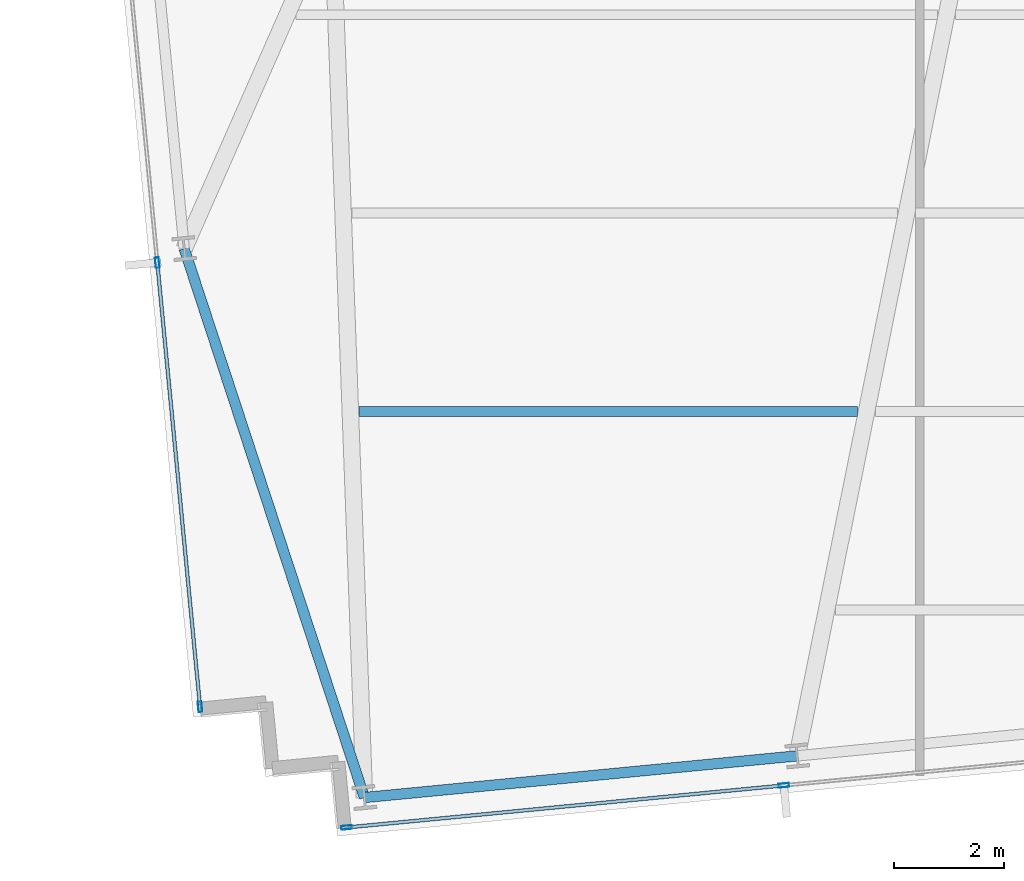
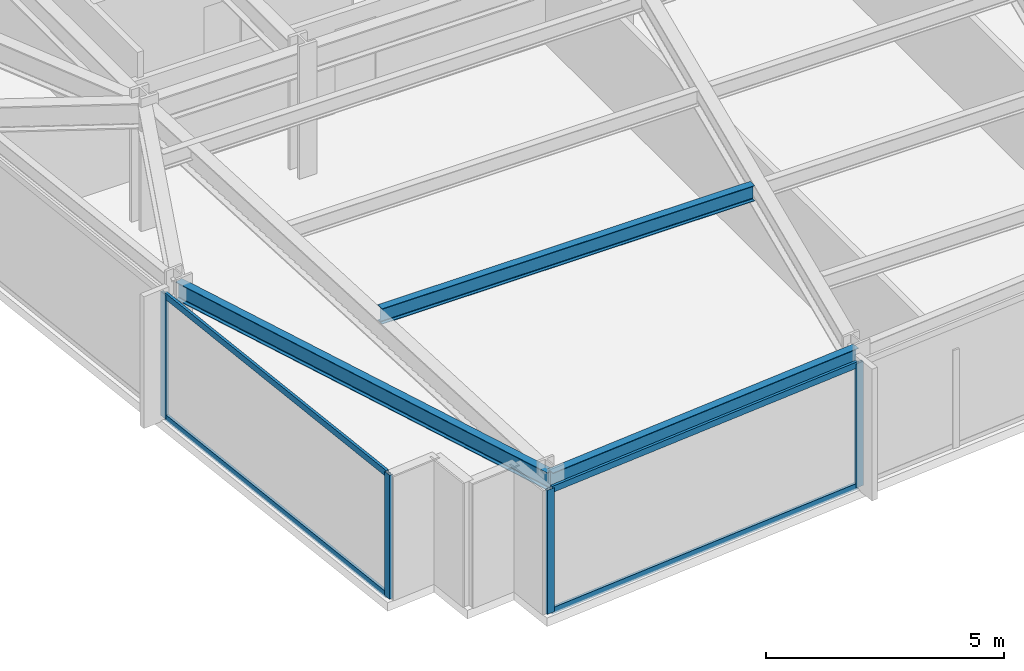
# One storey, part 2 of 33: 8 members, 3 beams, 2 elements without a shape of their own.
"""IFC4 building model written with IfcOpenShell, lengths in metres."""

from ifc_helpers import new_model, si_unit, direction, frame, origin, origin_2d, place, context, subcontext, project, spatial, hollow_rectangle, i_section, extrude, material, material_profile, profile_set, type_object, element, aggregate, save


model = new_model("IFC4")

# Units and contexts
model_context = context("Model", 3, precision=1e-05, world=origin(), true_north=direction((0.0, 1.0)))
body_context = subcontext(model_context, "Body", "Model", "MODEL_VIEW")
ifc_project = project(units=[si_unit("LENGTHUNIT", "METRE"), si_unit("AREAUNIT", "SQUARE_METRE"), si_unit("VOLUMEUNIT", "CUBIC_METRE"), si_unit("PLANEANGLEUNIT", "RADIAN"), si_unit("MASSUNIT", "GRAM", prefix="KILO")], contexts=[model_context])

# Site, building, storey
site_placement = place(None, origin())
site = spatial("IfcSite", under=ifc_project, at=site_placement, CompositionType="ELEMENT")
building_placement = place(site_placement, origin())
building = spatial("IfcBuilding", under=site, at=building_placement, Name="Yelkora Congress Tower", CompositionType="ELEMENT")
storey_placement = place(building_placement, frame((0.0, 0.0, 110.10009765625)))
storey = spatial("IfcBuildingStorey", under=building, at=storey_placement, Name="L29", CompositionType="ELEMENT", Elevation=110.10009765625)

# Beams
ifc_material_1 = material(Name="Steel S355J2", Category="steel")
ifc_material_profile_1 = material_profile(ifc_material_1, i_section(OverallWidth=0.179931640625, OverallDepth=0.39990234375, WebThickness=0.008544921875, FlangeThickness=0.013427734375, FilletRadius=0.02099609375, at=origin_2d()), Name="IPE 400")
ifc_profile_set_1 = profile_set([ifc_material_profile_1], Name="Steel S355J2")
beam_type_1 = type_object("IfcBeamType", Name="BM-JOIST-IPE400", PredefinedType="JOIST", material=ifc_profile_set_1)
beam_1_placement = place(storey_placement, frame((19.6904296875, 16.144287109375, 2.97998046875), z_axis=(1.0, 0.0, 0.0), x_axis=(0.0, 1.0, 0.0)))
element("IfcBeam", 1, at=beam_1_placement, inside=storey, type_object=beam_type_1, Name="L29 Composite Floor Joist 4", PredefinedType="JOIST", context=body_context, shape_type="SweptSolid", body=[
    extrude(i_section(OverallWidth=0.179931640625, OverallDepth=0.39990234375, WebThickness=0.008544921875, FlangeThickness=0.013427734375, FilletRadius=0.02099609375, at=origin_2d()), origin(), (0.0, 0.0, 1.0), 9.0439453125),
])
ifc_material_profile_2 = material_profile(ifc_material_1, i_section(OverallWidth=0.18994140625, OverallDepth=0.449951171875, WebThickness=0.009521484375, FlangeThickness=0.0146484375, FilletRadius=0.02099609375, at=origin_2d()), Name="IPE 450")
ifc_profile_set_2 = profile_set([ifc_material_profile_2], Name="Steel S355J2")
beam_type_2 = type_object("IfcBeamType", Name="BM-SPAN-IPE450", PredefinedType="SPANDREL", material=ifc_profile_set_2)
beam_2_placement = place(storey_placement, frame((16.5166015625, 19.101806640625, 2.954833984375), z_axis=(0.311940628701, -0.95010159676, 0.0), x_axis=(0.95010159676, 0.311940628701, 0.0)))
element("IfcBeam", 2, at=beam_2_placement, inside=storey, type_object=beam_type_2, Name="L29 Perimeter Beam 2", PredefinedType="SPANDREL", context=body_context, shape_type="SweptSolid", body=[
    extrude(i_section(OverallWidth=0.18994140625, OverallDepth=0.449951171875, WebThickness=0.009521484375, FlangeThickness=0.0146484375, FilletRadius=0.02099609375, at=origin_2d()), origin(), (0.0, 0.0, 1.0), 10.48046875),
])
beam_3_placement = place(storey_placement, frame((19.785888671875, 9.144287109375, 2.954833984375), z_axis=(0.995395860104, 0.095849265454, 0.0), x_axis=(-0.095849265454, 0.995395860104, 0.0)))
element("IfcBeam", 3, at=beam_3_placement, inside=storey, type_object=beam_type_2, Name="L29 Perimeter Beam 3", PredefinedType="SPANDREL", context=body_context, shape_type="SweptSolid", body=[
    extrude(i_section(OverallWidth=0.18994140625, OverallDepth=0.449951171875, WebThickness=0.009521484375, FlangeThickness=0.0146484375, FilletRadius=0.02099609375, at=origin_2d()), origin(), (0.0, 0.0, 1.0), 7.885986328125),
])

# Curtain wall, members
ifc_material_2 = material(Name="Anodised aluminium and insulated glass", Category="aluminium")
curtain_wall_type = type_object("IfcCurtainWallType", Name="CW-SYS-B2", PredefinedType="NOTDEFINED", material=ifc_material_2)
curtain_wall_1_placement = place(storey_placement, origin())
curtain_wall_1 = element("IfcCurtainWall", 4, at=curtain_wall_1_placement, inside=storey, type_object=curtain_wall_type, Name="L29 Unitised Curtain Wall 5", PredefinedType="NOTDEFINED")
ifc_material_3 = material(Name="Anodised aluminium 6063-T6", Category="aluminium")
ifc_material_profile_3 = material_profile(ifc_material_3, hollow_rectangle(XDim=0.070068359375, YDim=0.18994140625, WallThickness=0.00390625, at=origin_2d()), Name="ALU 70x190x4")
ifc_profile_set_3 = profile_set([ifc_material_profile_3], Name="Anodised aluminium 6063-T6")
member_type_1 = type_object("IfcMemberType", Name="MEM-ML-B2", PredefinedType="MULLION", material=ifc_profile_set_3)
member_1_placement = place(storey_placement, frame((16.804443359375, 10.791259765625, 0.0), z_axis=(0.0, 0.0, 1.0), x_axis=(-0.995396507508, -0.095842541913, 0.0)))
member_1 = element("IfcMember", 5, at=member_1_placement, type_object=member_type_1, Name="CW-B2 mullion 1", PredefinedType="MULLION", context=body_context, shape_type="SweptSolid", body=[
    extrude(hollow_rectangle(XDim=0.070068359375, YDim=0.18994140625, WallThickness=0.00390625, at=origin_2d()), origin(), (0.0, 0.0, 1.0), 3.179931640625),
])
member_2_placement = place(storey_placement, frame((16.028564453125, 18.848876953125, 0.0), z_axis=(0.0, 0.0, 1.0), x_axis=(-0.995396507508, -0.095842541913, 0.0)))
member_2 = element("IfcMember", 6, at=member_2_placement, type_object=member_type_1, Name="CW-B2 mullion 2", PredefinedType="MULLION", context=body_context, shape_type="SweptSolid", body=[
    extrude(hollow_rectangle(XDim=0.070068359375, YDim=0.18994140625, WallThickness=0.00390625, at=origin_2d()), origin(), (0.0, 0.0, 1.0), 3.179931640625),
])

curtain_wall_2_placement = place(storey_placement, origin())
curtain_wall_2 = element("IfcCurtainWall", 7, at=curtain_wall_2_placement, inside=storey, type_object=curtain_wall_type, Name="L29 Unitised Curtain Wall 20", PredefinedType="NOTDEFINED")
member_3_placement = place(storey_placement, frame((27.392822265625, 9.364501953125, 0.0), z_axis=(0.0, 0.0, 1.0), x_axis=(0.095844345816, -0.995396333816, 0.0)))
member_3 = element("IfcMember", 8, at=member_3_placement, type_object=member_type_1, Name="CW-B2 mullion 7", PredefinedType="MULLION", context=body_context, shape_type="SweptSolid", body=[
    extrude(hollow_rectangle(XDim=0.070068359375, YDim=0.18994140625, WallThickness=0.00390625, at=origin_2d()), origin(), (0.0, 0.0, 1.0), 3.179931640625),
])
member_4_placement = place(storey_placement, frame((19.46142578125, 8.600830078125, 0.0), z_axis=(0.0, 0.0, 1.0), x_axis=(0.095844345816, -0.995396333816, 0.0)))
member_4 = element("IfcMember", 9, at=member_4_placement, type_object=member_type_1, Name="CW-B2 mullion 8", PredefinedType="MULLION", context=body_context, shape_type="SweptSolid", body=[
    extrude(hollow_rectangle(XDim=0.070068359375, YDim=0.18994140625, WallThickness=0.00390625, at=origin_2d()), origin(), (0.0, 0.0, 1.0), 3.179931640625),
])

# Member
ifc_material_profile_4 = material_profile(ifc_material_3, hollow_rectangle(XDim=0.06494140625, YDim=0.159912109375, WallThickness=0.00390625, at=origin_2d()), Name="ALU 65x160x4")
ifc_profile_set_4 = profile_set([ifc_material_profile_4], Name="Anodised aluminium 6063-T6")
member_type_2 = type_object("IfcMemberType", Name="MEM-TR-B2", PredefinedType="USERDEFINED", material=ifc_profile_set_4)
member_5_placement = place(storey_placement, frame((16.801025390625, 10.826171875, 0.032470703125), z_axis=(-0.095861385662, 0.995394692943, 0.0), x_axis=(-0.995394692943, -0.095861385662, 0.0)))
member_5 = element("IfcMember", 10, at=member_5_placement, type_object=member_type_2, Name="CW-B2 transom 1.1", ObjectType="TRANSOM", PredefinedType="USERDEFINED", context=body_context, shape_type="SweptSolid", body=[
    extrude(hollow_rectangle(XDim=0.06494140625, YDim=0.159912109375, WallThickness=0.00390625, at=origin_2d()), origin(), (0.0, 0.0, 1.0), 8.02490234375),
])

member_6_placement = place(storey_placement, frame((16.801025390625, 10.826171875, 3.1474609375), z_axis=(-0.095861385662, 0.995394692943, 0.0), x_axis=(-0.995394692943, -0.095861385662, 0.0)))
member_6 = element("IfcMember", 11, at=member_6_placement, type_object=member_type_2, Name="CW-B2 transom 1.2", ObjectType="TRANSOM", PredefinedType="USERDEFINED", context=body_context, shape_type="SweptSolid", body=[
    extrude(hollow_rectangle(XDim=0.06494140625, YDim=0.159912109375, WallThickness=0.00390625, at=origin_2d()), origin(), (0.0, 0.0, 1.0), 8.02490234375),
])

aggregate(curtain_wall_1, [member_1, member_2, member_5, member_6])

member_7_placement = place(storey_placement, frame((27.35791015625, 9.361083984375, 0.032470703125), z_axis=(-0.995397978421, -0.095827264157, 0.0), x_axis=(0.095827264157, -0.995397978421, 0.0)))
member_7 = element("IfcMember", 12, at=member_7_placement, type_object=member_type_2, Name="CW-B2 transom 7.1", ObjectType="TRANSOM", PredefinedType="USERDEFINED", context=body_context, shape_type="SweptSolid", body=[
    extrude(hollow_rectangle(XDim=0.06494140625, YDim=0.159912109375, WallThickness=0.00390625, at=origin_2d()), origin(), (0.0, 0.0, 1.0), 7.89794921875),
])

member_8_placement = place(storey_placement, frame((27.35791015625, 9.361083984375, 3.1474609375), z_axis=(-0.995397978421, -0.095827264157, 0.0), x_axis=(0.095827264157, -0.995397978421, 0.0)))
member_8 = element("IfcMember", 13, at=member_8_placement, type_object=member_type_2, Name="CW-B2 transom 7.2", ObjectType="TRANSOM", PredefinedType="USERDEFINED", context=body_context, shape_type="SweptSolid", body=[
    extrude(hollow_rectangle(XDim=0.06494140625, YDim=0.159912109375, WallThickness=0.00390625, at=origin_2d()), origin(), (0.0, 0.0, 1.0), 7.89794921875),
])

aggregate(curtain_wall_2, [member_3, member_4, member_7, member_8])

save(model, "model.ifc")
